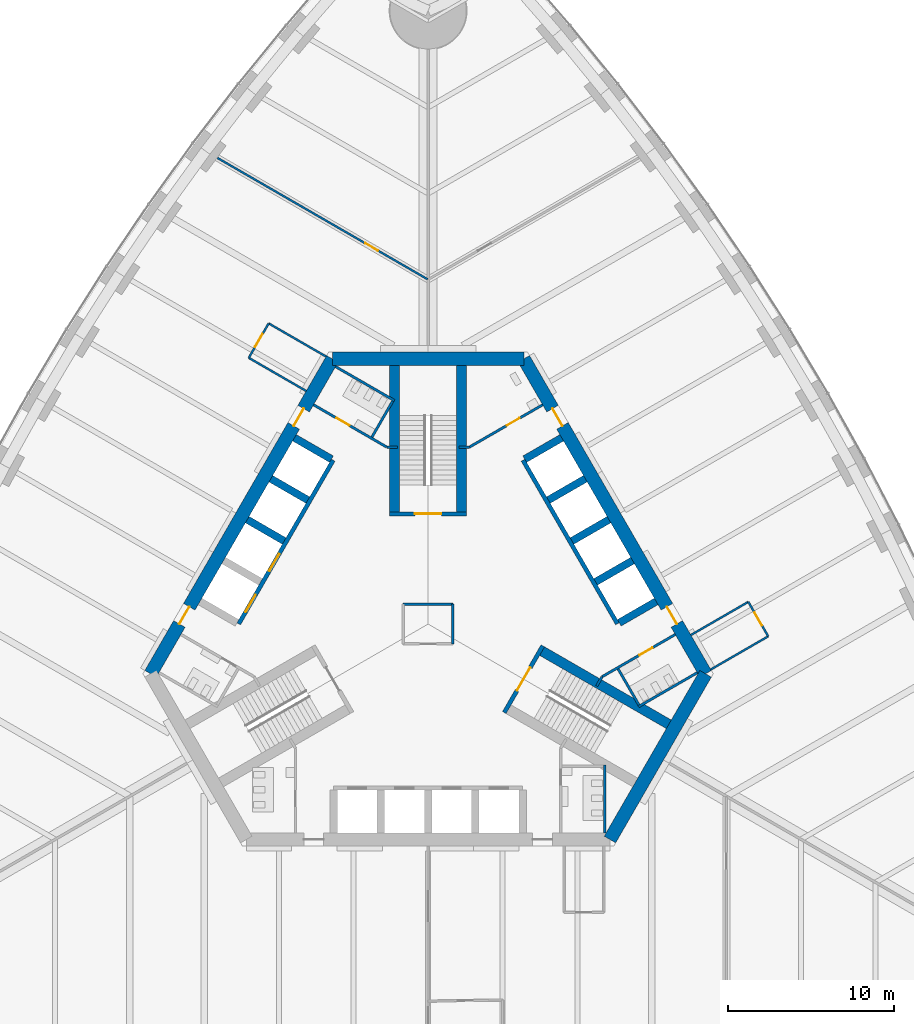
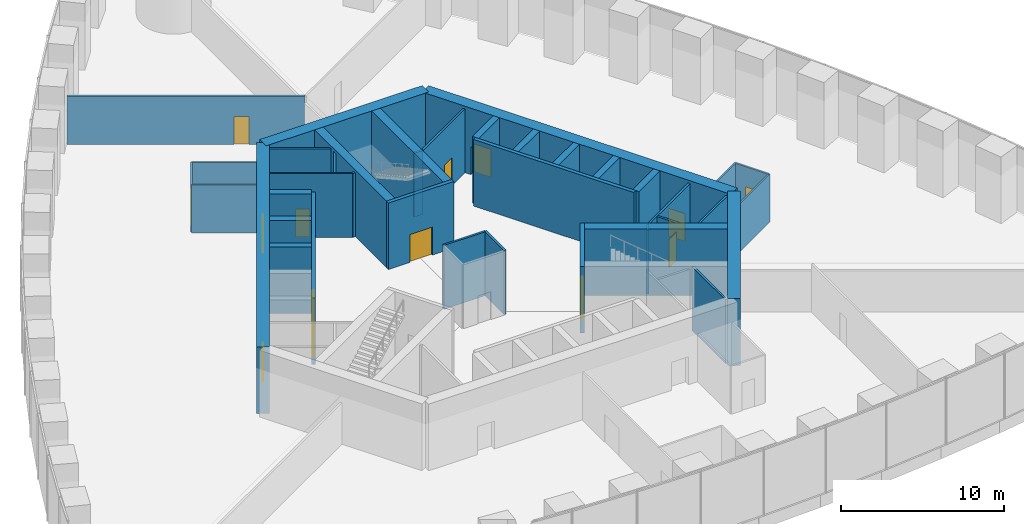
# One storey, part 16 of 21: 39 walls, 14 doors, 14 openings.
"""IFC4 building model written with IfcOpenShell, lengths in metres."""

from ifc_helpers import new_model, si_unit, direction, frame, frame_2d, origin, place, context, subcontext, project, spatial, rectangle, extrude, material, layer, layer_set, type_object, element, fill, save


model = new_model("IFC4")

# Units and contexts
model_context = context("Model", 3, precision=1e-05, world=origin(), true_north=direction((0.0, 1.0)))
body_context = subcontext(model_context, "Body", "Model", "MODEL_VIEW")
ifc_project = project(units=[si_unit("LENGTHUNIT", "METRE"), si_unit("AREAUNIT", "SQUARE_METRE"), si_unit("VOLUMEUNIT", "CUBIC_METRE"), si_unit("PLANEANGLEUNIT", "RADIAN"), si_unit("MASSUNIT", "GRAM", prefix="KILO")], contexts=[model_context])

# Site, building, storey
site_placement = place(None, origin())
site = spatial("IfcSite", under=ifc_project, at=site_placement, CompositionType="ELEMENT")
building_placement = place(site_placement, origin())
building = spatial("IfcBuilding", under=site, at=building_placement, Name="Trefoil Bronze Tower", CompositionType="ELEMENT")
storey_placement = place(building_placement, frame((0.0, 0.0, 6.5)))
storey = spatial("IfcBuildingStorey", under=building, at=storey_placement, Name="L01", CompositionType="ELEMENT", Elevation=6.5)

# Wall
ifc_material_1 = material(Name="Concrete B80", Category="concrete")
ifc_layer_1 = layer(ifc_material_1, 0.800048828125)
ifc_layer_set_1 = layer_set([ifc_layer_1], Name="Core wall 800")
wall_type_1 = type_object("IfcWallType", Name="Core wall 800", PredefinedType="SHEAR", material=ifc_layer_set_1)
wall_1_placement = place(storey_placement, frame((10.9697265625, -13.0, 0.0), z_axis=(0.0, 0.0, 1.0), x_axis=(0.499995765644, 0.866027848477, 0.0)))
element("IfcWall", 1, at=wall_1_placement, inside=storey, type_object=wall_type_1, Name="Core short wall 1 L01", PredefinedType="SHEAR", context=body_context, shape_type="SweptSolid", body=[
    extrude(rectangle(XDim=11.546875, YDim=0.800048828125, at=frame_2d((5.7734375, 0.0))), origin(), (0.0, 0.0, 1.0), 5.0),
])

# Wall, openings, doors
wall_2_placement = place(storey_placement, frame((16.7431640625, -3.0, 0.0), z_axis=(0.0, 0.0, 1.0), x_axis=(-0.500002442456, 0.866023993627, 0.0)))
wall_2 = element("IfcWall", 2, at=wall_2_placement, inside=storey, type_object=wall_type_1, Name="Core long wall 2 L01", PredefinedType="SHEAR", context=body_context, shape_type="SweptSolid", body=[
    extrude(rectangle(XDim=21.939453125, YDim=0.800048828125, at=frame_2d((10.9697265625, 0.0))), origin(), (0.0, 0.0, 1.0), 5.0),
])
opening_1_placement = place(wall_2_placement, frame((17.269775390625, 0.0, 0.0)))
opening_1 = element("IfcOpeningElement", 3, at=opening_1_placement, cuts=wall_2, Name="Opening D2", PredefinedType="OPENING", context=body_context, shape_type="SweptSolid", body=[
    extrude(rectangle(XDim=1.199951171875, YDim=2.10009765625, at=frame_2d((0.60009765625, 1.050048828125))), frame((0.0, 0.409912109375, 0.0), z_axis=(0.0, -1.0, 0.0), x_axis=(1.0, 0.0, 0.0)), (0.0, 0.0, 1.0), 0.820068359375),
])
opening_2_placement = place(wall_2_placement, frame((3.4697265625, 0.0, 0.0)))
opening_2 = element("IfcOpeningElement", 4, at=opening_2_placement, cuts=wall_2, Name="Opening D2", PredefinedType="OPENING", context=body_context, shape_type="SweptSolid", body=[
    extrude(rectangle(XDim=1.199951171875, YDim=2.10009765625, at=frame_2d((0.60009765625, 1.050048828125))), frame((0.0, 0.409912109375, 0.0), z_axis=(0.0, -1.0, 0.0), x_axis=(1.0, 0.0, 0.0)), (0.0, 0.0, 1.0), 0.820068359375),
])
ifc_material_2 = material(Name="Steel door", Category="steel")
door_type_1 = type_object("IfcDoorType", Name="Lobby door 1200", OperationType="SINGLE_SWING_RIGHT", PredefinedType="DOOR", material=ifc_material_2)
door_1_placement = place(opening_1_placement, origin())
door_1 = element("IfcDoor", 5, at=door_1_placement, inside=storey, type_object=door_type_1, Name="Lobby door F2+ L01", OperationType="SINGLE_SWING_RIGHT", OverallHeight=2.10009765625, OverallWidth=1.199951171875, PredefinedType="DOOR", context=body_context, shape_type="SweptSolid", body=[
    extrude(rectangle(XDim=1.199951171875, YDim=2.10009765625, at=frame_2d((0.60009765625, 1.050048828125))), frame((0.0, 0.02490234375, 0.0), z_axis=(0.0, -1.0, 0.0), x_axis=(1.0, 0.0, 0.0)), (0.0, 0.0, 1.0), 0.050048828125),
])
fill(opening_1, door_1)
door_2_placement = place(opening_2_placement, origin())
door_2 = element("IfcDoor", 6, at=door_2_placement, inside=storey, type_object=door_type_1, Name="Lobby door F2- L01", OperationType="SINGLE_SWING_LEFT", OverallHeight=2.10009765625, OverallWidth=1.199951171875, PredefinedType="DOOR", context=body_context, shape_type="SweptSolid", body=[
    extrude(rectangle(XDim=1.199951171875, YDim=2.10009765625, at=frame_2d((0.60009765625, 1.050048828125))), frame((0.0, 0.02490234375, 0.0), z_axis=(0.0, -1.0, 0.0), x_axis=(1.0, 0.0, 0.0)), (0.0, 0.0, 1.0), 0.050048828125),
])
fill(opening_2, door_2)

# Wall
wall_3_placement = place(storey_placement, frame((5.7734375, 16.0, 0.0), z_axis=(0.0, 0.0, 1.0), x_axis=(-1.0, 0.0, 0.0)))
element("IfcWall", 7, at=wall_3_placement, inside=storey, type_object=wall_type_1, Name="Core short wall 2 L01", PredefinedType="SHEAR", context=body_context, shape_type="SweptSolid", body=[
    extrude(rectangle(XDim=11.546875, YDim=0.800048828125, at=frame_2d((5.7734375, 0.0))), origin(), (0.0, 0.0, 1.0), 5.0),
])

# Wall, openings, doors
wall_4_placement = place(storey_placement, frame((-5.7734375, 16.0, 0.0), z_axis=(0.0, 0.0, 1.0), x_axis=(-0.500002442456, -0.866023993627, 0.0)))
wall_4 = element("IfcWall", 8, at=wall_4_placement, inside=storey, type_object=wall_type_1, Name="Core long wall 3 L01", PredefinedType="SHEAR", context=body_context, shape_type="SweptSolid", body=[
    extrude(rectangle(XDim=21.939453125, YDim=0.800048828125, at=frame_2d((10.9697265625, 0.0))), origin(), (0.0, 0.0, 1.0), 5.0),
])
opening_3_placement = place(wall_4_placement, frame((17.269775390625, 0.0, 0.0)))
opening_3 = element("IfcOpeningElement", 9, at=opening_3_placement, cuts=wall_4, Name="Opening D2", PredefinedType="OPENING", context=body_context, shape_type="SweptSolid", body=[
    extrude(rectangle(XDim=1.199951171875, YDim=2.10009765625, at=frame_2d((0.60009765625, 1.050048828125))), frame((0.0, 0.409912109375, 0.0), z_axis=(0.0, -1.0, 0.0), x_axis=(1.0, 0.0, 0.0)), (0.0, 0.0, 1.0), 0.820068359375),
])
opening_4_placement = place(wall_4_placement, frame((3.4697265625, 0.0, 0.0)))
opening_4 = element("IfcOpeningElement", 10, at=opening_4_placement, cuts=wall_4, Name="Opening D2", PredefinedType="OPENING", context=body_context, shape_type="SweptSolid", body=[
    extrude(rectangle(XDim=1.199951171875, YDim=2.10009765625, at=frame_2d((0.60009765625, 1.050048828125))), frame((0.0, 0.409912109375, 0.0), z_axis=(0.0, -1.0, 0.0), x_axis=(1.0, 0.0, 0.0)), (0.0, 0.0, 1.0), 0.820068359375),
])
door_3_placement = place(opening_3_placement, origin())
door_3 = element("IfcDoor", 11, at=door_3_placement, inside=storey, type_object=door_type_1, Name="Lobby door F3+ L01", OperationType="SINGLE_SWING_RIGHT", OverallHeight=2.10009765625, OverallWidth=1.199951171875, PredefinedType="DOOR", context=body_context, shape_type="SweptSolid", body=[
    extrude(rectangle(XDim=1.199951171875, YDim=2.10009765625, at=frame_2d((0.60009765625, 1.050048828125))), frame((0.0, 0.02490234375, 0.0), z_axis=(0.0, -1.0, 0.0), x_axis=(1.0, 0.0, 0.0)), (0.0, 0.0, 1.0), 0.050048828125),
])
fill(opening_3, door_3)
door_4_placement = place(opening_4_placement, origin())
door_4 = element("IfcDoor", 12, at=door_4_placement, inside=storey, type_object=door_type_1, Name="Lobby door F3- L01", OperationType="SINGLE_SWING_LEFT", OverallHeight=2.10009765625, OverallWidth=1.199951171875, PredefinedType="DOOR", context=body_context, shape_type="SweptSolid", body=[
    extrude(rectangle(XDim=1.199951171875, YDim=2.10009765625, at=frame_2d((0.60009765625, 1.050048828125))), frame((0.0, 0.02490234375, 0.0), z_axis=(0.0, -1.0, 0.0), x_axis=(1.0, 0.0, 0.0)), (0.0, 0.0, 1.0), 0.050048828125),
])
fill(opening_4, door_4)

# Wall, opening, door
ifc_material_3 = material(Name="Glazed partition", Category="glass")
ifc_layer_2 = layer(ifc_material_3, 0.1201171875)
ifc_layer_set_2 = layer_set([ifc_layer_2], Name="Glazed partition 120")
wall_type_2 = type_object("IfcWallType", Name="Glazed partition 120", PredefinedType="PARTITIONING", material=ifc_layer_set_2)
wall_5_placement = place(storey_placement, frame((20.518798828125, -0.73974609375, 0.0), z_axis=(0.0, 0.0, 1.0), x_axis=(-0.499957262057, 0.866050077142, 0.0)))
wall_5 = element("IfcWall", 13, at=wall_5_placement, inside=storey, type_object=wall_type_2, Name="Partition F2 L01", PredefinedType="PARTITIONING", context=body_context, shape_type="SweptSolid", body=[
    extrude(rectangle(XDim=2.400146484375, YDim=0.1201171875, at=frame_2d((1.2001953125, 0.0))), origin(), (0.0, 0.0, 1.0), 3.60009765625),
])
opening_5_placement = place(wall_5_placement, frame((0.75, 0.0, 0.0)))
opening_5 = element("IfcOpeningElement", 14, at=opening_5_placement, cuts=wall_5, Name="Opening D8", PredefinedType="OPENING", context=body_context, shape_type="SweptSolid", body=[
    extrude(rectangle(XDim=0.89990234375, YDim=2.10009765625, at=frame_2d((0.449951171875, 1.050048828125))), frame((0.0, 0.070068359375, 0.0), z_axis=(0.0, -1.0, 0.0), x_axis=(1.0, 0.0, 0.0)), (0.0, 0.0, 1.0), 0.14013671875),
])
ifc_material_4 = material(Name="Timber door", Category="wood")
door_type_2 = type_object("IfcDoorType", Name="Office door 900", OperationType="SINGLE_SWING_LEFT", PredefinedType="DOOR", material=ifc_material_4)
door_5_placement = place(opening_5_placement, origin())
door_5 = element("IfcDoor", 15, at=door_5_placement, inside=storey, type_object=door_type_2, Name="Store door F2 L01", OperationType="SINGLE_SWING_RIGHT", OverallHeight=2.10009765625, OverallWidth=0.89990234375, PredefinedType="DOOR", context=body_context, shape_type="SweptSolid", body=[
    extrude(rectangle(XDim=0.89990234375, YDim=2.10009765625, at=frame_2d((0.449951171875, 1.050048828125))), frame((0.0, 0.02490234375, 0.0), z_axis=(0.0, -1.0, 0.0), x_axis=(1.0, 0.0, 0.0)), (0.0, 0.0, 1.0), 0.050048828125),
])
fill(opening_5, door_5)

# Walls
for number, where, z_axis, x_axis, name in (
    (16, (17.0546875, -2.73974609375, 0.0), (0.0, 0.0, 1.0), (0.866026010844, 0.49999894854, 0.0), "Partition F2 L01"),
    (17, (15.854736328125, -0.6611328125, 0.0), (0.0, 0.0, 1.0), (0.866026010844, 0.49999894854, 0.0), "Partition F2 L01"),
):
    element("IfcWall", number, at=place(storey_placement, frame(where, z_axis=z_axis, x_axis=x_axis)), inside=storey, type_object=wall_type_2, Name=name, PredefinedType="PARTITIONING", context=body_context, shape_type="SweptSolid", body=[
        extrude(rectangle(XDim=4.0, YDim=0.1201171875, at=frame_2d((2.0, 0.0))), origin(), (0.0, 0.0, 1.0), 3.60009765625),
    ])

# Wall, opening, door
wall_6_placement = place(storey_placement, frame((-9.618896484375, 18.1396484375, 0.0), z_axis=(0.0, 0.0, 1.0), x_axis=(-0.500001309137, -0.866024647952, 0.0)))
wall_6 = element("IfcWall", 18, at=wall_6_placement, inside=storey, type_object=wall_type_2, Name="Partition F3 L01", PredefinedType="PARTITIONING", context=body_context, shape_type="SweptSolid", body=[
    extrude(rectangle(XDim=2.39990234375, YDim=0.1201171875, at=frame_2d((1.199951171875, 0.0))), origin(), (0.0, 0.0, 1.0), 3.60009765625),
])
opening_6_placement = place(wall_6_placement, frame((0.75, 0.0, 0.0)))
opening_6 = element("IfcOpeningElement", 19, at=opening_6_placement, cuts=wall_6, Name="Opening D8", PredefinedType="OPENING", context=body_context, shape_type="SweptSolid", body=[
    extrude(rectangle(XDim=0.89990234375, YDim=2.10009765625, at=frame_2d((0.449951171875, 1.050048828125))), frame((0.0, 0.070068359375, 0.0), z_axis=(0.0, -1.0, 0.0), x_axis=(1.0, 0.0, 0.0)), (0.0, 0.0, 1.0), 0.14013671875),
])
door_6_placement = place(opening_6_placement, origin())
door_6 = element("IfcDoor", 20, at=door_6_placement, inside=storey, type_object=door_type_2, Name="Print and store room door F3 L01", OperationType="SINGLE_SWING_RIGHT", OverallHeight=2.10009765625, OverallWidth=0.89990234375, PredefinedType="DOOR", context=body_context, shape_type="SweptSolid", body=[
    extrude(rectangle(XDim=0.89990234375, YDim=2.10009765625, at=frame_2d((0.449951171875, 1.050048828125))), frame((0.0, 0.02490234375, 0.0), z_axis=(0.0, -1.0, 0.0), x_axis=(1.0, 0.0, 0.0)), (0.0, 0.0, 1.0), 0.050048828125),
])
fill(opening_6, door_6)

# Walls
for number, where, z_axis, x_axis, name in (
    (21, (-6.15478515625, 16.1396484375, 0.0), (0.0, 0.0, 1.0), (-0.866026010844, 0.49999894854, 0.0), "Partition F3 L01"),
    (22, (-7.354736328125, 14.061279296875, 0.0), (0.0, 0.0, 1.0), (-0.866026010844, 0.49999894854, 0.0), "Partition F3 L01"),
):
    element("IfcWall", number, at=place(storey_placement, frame(where, z_axis=z_axis, x_axis=x_axis)), inside=storey, type_object=wall_type_2, Name=name, PredefinedType="PARTITIONING", context=body_context, shape_type="SweptSolid", body=[
        extrude(rectangle(XDim=4.0, YDim=0.1201171875, at=frame_2d((2.0, 0.0))), origin(), (0.0, 0.0, 1.0), 3.60009765625),
    ])

# Wall, opening, door
wall_7_placement = place(storey_placement, frame((-0.025146484375, 20.799072265625, 0.0), z_axis=(0.0, 0.0, 1.0), x_axis=(-0.866024773507, 0.50000109167, 0.0)))
wall_7 = element("IfcWall", 23, at=wall_7_placement, inside=storey, type_object=wall_type_2, Name="Partition F3 L01", PredefinedType="PARTITIONING", context=body_context, shape_type="SweptSolid", body=[
    extrude(rectangle(XDim=14.63818359375, YDim=0.1201171875, at=frame_2d((7.319091796875, 0.0))), origin(), (0.0, 0.0, 1.0), 3.60009765625),
])
opening_7_placement = place(wall_7_placement, frame((3.449951171875, 0.0, 0.0)))
opening_7 = element("IfcOpeningElement", 24, at=opening_7_placement, cuts=wall_7, Name="Opening D8", PredefinedType="OPENING", context=body_context, shape_type="SweptSolid", body=[
    extrude(rectangle(XDim=0.89990234375, YDim=2.10009765625, at=frame_2d((0.449951171875, 1.050048828125))), frame((0.0, 0.070068359375, 0.0), z_axis=(0.0, -1.0, 0.0), x_axis=(1.0, 0.0, 0.0)), (0.0, 0.0, 1.0), 0.14013671875),
])
door_7_placement = place(opening_7_placement, frame((0.89990234375, 0.0, 0.0), z_axis=(0.0, 0.0, 1.0), x_axis=(-1.0, 0.0, 0.0)))
door_7 = element("IfcDoor", 25, at=door_7_placement, inside=storey, type_object=door_type_2, Name="Plant room door F3 L01", OperationType="SINGLE_SWING_RIGHT", OverallHeight=2.10009765625, OverallWidth=0.89990234375, PredefinedType="DOOR", context=body_context, shape_type="SweptSolid", body=[
    extrude(rectangle(XDim=0.89990234375, YDim=2.10009765625, at=frame_2d((0.449951171875, 1.050048828125))), frame((0.0, 0.02490234375, 0.0), z_axis=(0.0, -1.0, 0.0), x_axis=(1.0, 0.0, 0.0)), (0.0, 0.0, 1.0), 0.050048828125),
])
fill(opening_7, door_7)

# Walls
ifc_material_5 = material(Name="Concrete B80", Category="concrete")
ifc_layer_3 = layer(ifc_material_5, 0.449951171875)
ifc_layer_set_3 = layer_set([ifc_layer_3], Name="Outrigger shaft wall 450")
wall_type_3 = type_object("IfcWallType", Name="Outrigger shaft wall 450", PredefinedType="SHEAR", material=ifc_layer_set_3)
for number, where, z_axis, x_axis, name in (
    (26, (11.531982421875, 0.076171875, 0.0), (0.0, 0.0, 1.0), (0.866005588531, 0.500034319456, 0.0), "Lift shaft side wall B0 L01"),
    (27, (10.10693359375, 2.54443359375, 0.0), (0.0, 0.0, 1.0), (0.866046643894, 0.499963209246, 0.0), "Lift shaft side wall B1 L01"),
    (28, (8.681884765625, 5.012451171875, 0.0), (0.0, 0.0, 1.0), (0.866005588531, 0.500034319456, 0.0), "Lift shaft side wall B2 L01"),
    (29, (7.2568359375, 7.480712890625, 0.0), (0.0, 0.0, 1.0), (0.866046643894, 0.499963209246, 0.0), "Lift shaft side wall B3 L01"),
):
    element("IfcWall", number, at=place(storey_placement, frame(where, z_axis=z_axis, x_axis=x_axis)), inside=storey, type_object=wall_type_3, Name=name, PredefinedType="SHEAR", context=body_context, shape_type="SweptSolid", body=[
        extrude(rectangle(XDim=2.574951171875, YDim=0.449951171875, at=frame_2d((1.28759765625, 0.0))), origin(), (0.0, 0.0, 1.0), 5.0),
    ])
for number, where, z_axis, x_axis, name in (
    (30, (5.831787109375, 9.94873046875, 0.0), (0.0, 0.0, 1.0), (0.866029291668, 0.499993265928, 0.0), "Lift shaft side wall B4 L01"),
    (31, (-5.831787109375, 9.94873046875, 0.0), (0.0, 0.0, 1.0), (-0.866029291668, 0.499993265928, 0.0), "Lift shaft side wall C0 L01"),
):
    element("IfcWall", number, at=place(storey_placement, frame(where, z_axis=z_axis, x_axis=x_axis)), inside=storey, type_object=wall_type_3, Name=name, PredefinedType="SHEAR", context=body_context, shape_type="SweptSolid", body=[
        extrude(rectangle(XDim=2.5751953125, YDim=0.449951171875, at=frame_2d((1.28759765625, 0.0))), origin(), (0.0, 0.0, 1.0), 5.0),
    ])
for number, where, z_axis, x_axis, name in (
    (32, (-7.2568359375, 7.480712890625, 0.0), (0.0, 0.0, 1.0), (-0.866046643894, 0.499963209246, 0.0), "Lift shaft side wall C1 L01"),
    (33, (-8.681884765625, 5.012451171875, 0.0), (0.0, 0.0, 1.0), (-0.866005588531, 0.500034319456, 0.0), "Lift shaft side wall C2 L01"),
):
    element("IfcWall", number, at=place(storey_placement, frame(where, z_axis=z_axis, x_axis=x_axis)), inside=storey, type_object=wall_type_3, Name=name, PredefinedType="SHEAR", context=body_context, shape_type="SweptSolid", body=[
        extrude(rectangle(XDim=2.574951171875, YDim=0.449951171875, at=frame_2d((1.28759765625, 0.0))), origin(), (0.0, 0.0, 1.0), 5.0),
    ])

# Wall, opening, door
ifc_material_6 = material(Name="Gypsum board on steel studs", Category="steel")
ifc_layer_4 = layer(ifc_material_6, 0.14990234375)
ifc_layer_set_4 = layer_set([ifc_layer_4], Name="Partition 150")
wall_type_4 = type_object("IfcWallType", Name="Partition 150", PredefinedType="PARTITIONING", material=ifc_layer_set_4)
wall_8_placement = place(storey_placement, frame((2.4951171875, 10.67822265625, 0.0), z_axis=(0.0, 0.0, 1.0), x_axis=(0.86602216432, 0.500005610874, 0.0)))
wall_8 = element("IfcWall", 34, at=wall_8_placement, inside=storey, type_object=wall_type_4, Name="Passage wall F2+ L01", PredefinedType="PARTITIONING", context=body_context, shape_type="SweptSolid", body=[
    extrude(rectangle(XDim=5.10009765625, YDim=0.14990234375, at=frame_2d((2.550048828125, 0.0))), origin(), (0.0, 0.0, 1.0), 4.800048828125),
])
opening_8_placement = place(wall_8_placement, frame((2.60009765625, 0.0, 0.0)))
opening_8 = element("IfcOpeningElement", 35, at=opening_8_placement, cuts=wall_8, Name="Opening D3", PredefinedType="OPENING", context=body_context, shape_type="SweptSolid", body=[
    extrude(rectangle(XDim=0.89990234375, YDim=2.10009765625, at=frame_2d((0.449951171875, 1.050048828125))), frame((0.0, 0.0849609375, 0.0), z_axis=(0.0, -1.0, 0.0), x_axis=(1.0, 0.0, 0.0)), (0.0, 0.0, 1.0), 0.169921875),
])
ifc_material_7 = material(Name="Timber door", Category="wood")
door_type_3 = type_object("IfcDoorType", Name="WC door 900", OperationType="SINGLE_SWING_LEFT", PredefinedType="DOOR", material=ifc_material_7)
door_8_placement = place(opening_8_placement, origin())
door_8 = element("IfcDoor", 36, at=door_8_placement, inside=storey, type_object=door_type_3, Name="Accessible WC door L01", OperationType="SINGLE_SWING_RIGHT", OverallHeight=2.10009765625, OverallWidth=0.89990234375, PredefinedType="DOOR", context=body_context, shape_type="SweptSolid", body=[
    extrude(rectangle(XDim=0.89990234375, YDim=2.10009765625, at=frame_2d((0.449951171875, 1.050048828125))), frame((0.0, 0.02490234375, 0.0), z_axis=(0.0, -1.0, 0.0), x_axis=(1.0, 0.0, 0.0)), (0.0, 0.0, 1.0), 0.050048828125),
])
fill(opening_8, door_8)

wall_9_placement = place(storey_placement, frame((10.4951171875, -3.17822265625, 0.0), z_axis=(0.0, 0.0, 1.0), x_axis=(0.86602216432, 0.500005610874, 0.0)))
wall_9 = element("IfcWall", 37, at=wall_9_placement, inside=storey, type_object=wall_type_4, Name="Passage wall F2- L01", PredefinedType="PARTITIONING", context=body_context, shape_type="SweptSolid", body=[
    extrude(rectangle(XDim=5.10009765625, YDim=0.14990234375, at=frame_2d((2.550048828125, 0.0))), origin(), (0.0, 0.0, 1.0), 4.800048828125),
])
opening_9_placement = place(wall_9_placement, frame((2.60009765625, 0.0, 0.0)))
opening_9 = element("IfcOpeningElement", 38, at=opening_9_placement, cuts=wall_9, Name="Opening D3", PredefinedType="OPENING", context=body_context, shape_type="SweptSolid", body=[
    extrude(rectangle(XDim=0.89990234375, YDim=2.10009765625, at=frame_2d((0.449951171875, 1.050048828125))), frame((0.0, 0.0849609375, 0.0), z_axis=(0.0, -1.0, 0.0), x_axis=(1.0, 0.0, 0.0)), (0.0, 0.0, 1.0), 0.169921875),
])
door_9_placement = place(opening_9_placement, frame((0.89990234375, 0.0, 0.0), z_axis=(0.0, 0.0, 1.0), x_axis=(-1.0, 0.0, 0.0)))
door_9 = element("IfcDoor", 39, at=door_9_placement, inside=storey, type_object=door_type_3, Name="WC (women) door L01", OperationType="SINGLE_SWING_RIGHT", OverallHeight=2.10009765625, OverallWidth=0.89990234375, PredefinedType="DOOR", context=body_context, shape_type="SweptSolid", body=[
    extrude(rectangle(XDim=0.89990234375, YDim=2.10009765625, at=frame_2d((0.449951171875, 1.050048828125))), frame((0.0, 0.02490234375, 0.0), z_axis=(0.0, -1.0, 0.0), x_axis=(1.0, 0.0, 0.0)), (0.0, 0.0, 1.0), 0.050048828125),
])
fill(opening_9, door_9)

wall_10_placement = place(storey_placement, frame((-2.4951171875, 10.67822265625, 0.0), z_axis=(0.0, 0.0, 1.0), x_axis=(-0.86602216432, 0.500005610874, 0.0)))
wall_10 = element("IfcWall", 40, at=wall_10_placement, inside=storey, type_object=wall_type_4, Name="Passage wall F3- L01", PredefinedType="PARTITIONING", context=body_context, shape_type="SweptSolid", body=[
    extrude(rectangle(XDim=5.10009765625, YDim=0.14990234375, at=frame_2d((2.550048828125, 0.0))), origin(), (0.0, 0.0, 1.0), 4.800048828125),
])
opening_10_placement = place(wall_10_placement, frame((2.60009765625, 0.0, 0.0)))
opening_10 = element("IfcOpeningElement", 41, at=opening_10_placement, cuts=wall_10, Name="Opening D3", PredefinedType="OPENING", context=body_context, shape_type="SweptSolid", body=[
    extrude(rectangle(XDim=0.89990234375, YDim=2.10009765625, at=frame_2d((0.449951171875, 1.050048828125))), frame((0.0, 0.0849609375, 0.0), z_axis=(0.0, -1.0, 0.0), x_axis=(1.0, 0.0, 0.0)), (0.0, 0.0, 1.0), 0.169921875),
])
door_10_placement = place(opening_10_placement, frame((0.89990234375, 0.0, 0.0), z_axis=(0.0, 0.0, 1.0), x_axis=(-1.0, 0.0, 0.0)))
door_10 = element("IfcDoor", 42, at=door_10_placement, inside=storey, type_object=door_type_3, Name="WC (women) door L01", OperationType="SINGLE_SWING_RIGHT", OverallHeight=2.10009765625, OverallWidth=0.89990234375, PredefinedType="DOOR", context=body_context, shape_type="SweptSolid", body=[
    extrude(rectangle(XDim=0.89990234375, YDim=2.10009765625, at=frame_2d((0.449951171875, 1.050048828125))), frame((0.0, 0.02490234375, 0.0), z_axis=(0.0, -1.0, 0.0), x_axis=(1.0, 0.0, 0.0)), (0.0, 0.0, 1.0), 0.050048828125),
])
fill(opening_10, door_10)

# Walls
wall_11_placement = place(storey_placement, frame((10.4951171875, -3.17822265625, 0.0), z_axis=(0.0, 0.0, 1.0), x_axis=(-0.499842556608, -0.866116284689, 0.0)))
element("IfcWall", 43, at=wall_11_placement, inside=storey, type_object=wall_type_4, Name="WC wall ST1+1 L01", PredefinedType="PARTITIONING", context=body_context, shape_type="SweptSolid", body=[
    extrude(rectangle(XDim=0.645263671875, YDim=0.14990234375, at=frame_2d((0.32275390625, 0.0))), origin(), (0.0, 0.0, 1.0), 4.800048828125),
])
for number, where, z_axis, x_axis, name in (
    (44, (2.4951171875, 10.67822265625, 0.0), (0.0, 0.0, 1.0), (-1.0, 0.0, 0.0), "WC wall ST2-1 L01"),
    (45, (-2.4951171875, 10.67822265625, 0.0), (0.0, 0.0, 1.0), (1.0, 0.0, 0.0), "WC wall ST2+1 L01"),
):
    element("IfcWall", number, at=place(storey_placement, frame(where, z_axis=z_axis, x_axis=x_axis)), inside=storey, type_object=wall_type_4, Name=name, PredefinedType="PARTITIONING", context=body_context, shape_type="SweptSolid", body=[
        extrude(rectangle(XDim=0.64501953125, YDim=0.14990234375, at=frame_2d((0.322509765625, 0.0))), origin(), (0.0, 0.0, 1.0), 4.800048828125),
    ])
for number, where, z_axis, x_axis, name in (
    (46, (10.659912109375, -8.5, 0.0), (0.0, 0.0, 1.0), (0.0, -1.0, 0.0), "WC partition WC (men) L01"),
    (47, (12.691162109375, -4.98193359375, 0.0), (0.0, 0.0, 1.0), (0.8660249478, 0.500000789788, 0.0), "WC partition WC (women) L01"),
):
    element("IfcWall", number, at=place(storey_placement, frame(where, z_axis=z_axis, x_axis=x_axis)), inside=storey, type_object=wall_type_4, Name=name, PredefinedType="PARTITIONING", context=body_context, shape_type="SweptSolid", body=[
        extrude(rectangle(XDim=4.10009765625, YDim=0.14990234375, at=frame_2d((2.050048828125, 0.0))), origin(), (0.0, 0.0, 1.0), 4.800048828125),
    ])
wall_12_placement = place(storey_placement, frame((11.463623046875, -2.70556640625, 0.0), z_axis=(0.0, 0.0, 1.0), x_axis=(0.50001992892, -0.866013897511, 0.0)))
element("IfcWall", 48, at=wall_12_placement, inside=storey, type_object=wall_type_4, Name="WC partition WC (women) L01", PredefinedType="PARTITIONING", context=body_context, shape_type="SweptSolid", body=[
    extrude(rectangle(XDim=2.51025390625, YDim=0.14990234375, at=frame_2d((1.255126953125, 0.0))), origin(), (0.0, 0.0, 1.0), 4.800048828125),
])
wall_13_placement = place(storey_placement, frame((-2.03125, 13.48193359375, 0.0), z_axis=(0.0, 0.0, 1.0), x_axis=(-0.866050731258, 0.499956128963, 0.0)))
element("IfcWall", 49, at=wall_13_placement, inside=storey, type_object=wall_type_4, Name="WC partition WC (women) L01", PredefinedType="PARTITIONING", context=body_context, shape_type="SweptSolid", body=[
    extrude(rectangle(XDim=4.099853515625, YDim=0.14990234375, at=frame_2d((2.0498046875, 0.0))), origin(), (0.0, 0.0, 1.0), 4.800048828125),
])
wall_14_placement = place(storey_placement, frame((-3.388671875, 11.28076171875, 0.0), z_axis=(0.0, 0.0, 1.0), x_axis=(0.499989096993, 0.866031698547, 0.0)))
element("IfcWall", 50, at=wall_14_placement, inside=storey, type_object=wall_type_4, Name="WC partition WC (women) L01", PredefinedType="PARTITIONING", context=body_context, shape_type="SweptSolid", body=[
    extrude(rectangle(XDim=2.509765625, YDim=0.14990234375, at=frame_2d((1.2548828125, 0.0))), origin(), (0.0, 0.0, 1.0), 4.800048828125),
])
ifc_material_8 = material(Name="Gypsum board on steel studs", Category="steel")
ifc_layer_5 = layer(ifc_material_8, 0.14990234375)
ifc_layer_set_5 = layer_set([ifc_layer_5], Name="Riser wall 150")
wall_type_5 = type_object("IfcWallType", Name="Riser wall 150", PredefinedType="PARTITIONING", material=ifc_layer_set_5)
wall_15_placement = place(storey_placement, frame((1.5, -1.199951171875, 0.0), z_axis=(0.0, 0.0, 1.0), x_axis=(0.0, 1.0, 0.0)))
element("IfcWall", 51, at=wall_15_placement, inside=storey, type_object=wall_type_5, Name="Riser wall L01", PredefinedType="PARTITIONING", context=body_context, shape_type="SweptSolid", body=[
    extrude(rectangle(XDim=2.39990234375, YDim=0.14990234375, at=frame_2d((1.199951171875, 0.0))), origin(), (0.0, 0.0, 1.0), 4.800048828125),
])
wall_16_placement = place(storey_placement, frame((1.5, 1.199951171875, 0.0), z_axis=(0.0, 0.0, 1.0), x_axis=(-1.0, 0.0, 0.0)))
element("IfcWall", 52, at=wall_16_placement, inside=storey, type_object=wall_type_5, Name="Riser wall L01", PredefinedType="PARTITIONING", context=body_context, shape_type="SweptSolid", body=[
    extrude(rectangle(XDim=3.0, YDim=0.14990234375, at=frame_2d((1.5, 0.0))), origin(), (0.0, 0.0, 1.0), 4.800048828125),
])
ifc_material_9 = material(Name="Concrete B80", Category="concrete")
ifc_layer_6 = layer(ifc_material_9, 0.25)
ifc_layer_set_6 = layer_set([ifc_layer_6], Name="Shaft wall 250")
wall_type_6 = type_object("IfcWallType", Name="Shaft wall 250", PredefinedType="SHEAR", material=ifc_layer_set_6)
wall_17_placement = place(storey_placement, frame((11.423583984375, 0.013671875, 0.0), z_axis=(0.0, 0.0, 1.0), x_axis=(-0.500001763848, 0.866024385424, 0.0)))
element("IfcWall", 53, at=wall_17_placement, inside=storey, type_object=wall_type_6, Name="Lift shaft front wall B L01", PredefinedType="SHEAR", context=body_context, shape_type="SweptSolid", body=[
    extrude(rectangle(XDim=11.39990234375, YDim=0.25, at=frame_2d((5.699951171875, 0.0))), origin(), (0.0, 0.0, 1.0), 5.0),
])

# Wall, openings, doors
wall_18_placement = place(storey_placement, frame((-5.7236328125, 9.88623046875, 0.0), z_axis=(0.0, 0.0, 1.0), x_axis=(-0.500001763848, -0.866024385424, 0.0)))
wall_18 = element("IfcWall", 54, at=wall_18_placement, inside=storey, type_object=wall_type_6, Name="Lift shaft front wall C L01", PredefinedType="SHEAR", context=body_context, shape_type="SweptSolid", body=[
    extrude(rectangle(XDim=11.39990234375, YDim=0.25, at=frame_2d((5.699951171875, 0.0))), origin(), (0.0, 0.0, 1.0), 5.0),
])
opening_11_placement = place(wall_18_placement, frame((6.52490234375, 0.0, 0.0)))
opening_11 = element("IfcOpeningElement", 55, at=opening_11_placement, cuts=wall_18, Name="Opening LD-FL1", PredefinedType="OPENING", context=body_context, shape_type="SweptSolid", body=[
    extrude(rectangle(XDim=1.199951171875, YDim=2.199951171875, at=frame_2d((0.60009765625, 1.10009765625))), frame((0.0, 0.135009765625, 0.0), z_axis=(0.0, -1.0, 0.0), x_axis=(1.0, 0.0, 0.0)), (0.0, 0.0, 1.0), 0.27001953125),
])
opening_12_placement = place(wall_18_placement, frame((9.375, 0.0, 0.0)))
opening_12 = element("IfcOpeningElement", 56, at=opening_12_placement, cuts=wall_18, Name="Opening LD-FL2", PredefinedType="OPENING", context=body_context, shape_type="SweptSolid", body=[
    extrude(rectangle(XDim=1.199951171875, YDim=2.199951171875, at=frame_2d((0.60009765625, 1.10009765625))), frame((0.0, 0.135009765625, 0.0), z_axis=(0.0, -1.0, 0.0), x_axis=(1.0, 0.0, 0.0)), (0.0, 0.0, 1.0), 0.27001953125),
])
ifc_material_10 = material(Name="Steel door", Category="steel")
door_type_4 = type_object("IfcDoorType", Name="Lift landing door 1200", OperationType="DOUBLE_DOOR_SLIDING", PredefinedType="DOOR", material=ifc_material_10)
door_11_placement = place(opening_11_placement, origin())
door_11 = element("IfcDoor", 57, at=door_11_placement, inside=storey, type_object=door_type_4, Name="Lift FL1 landing door L01", OperationType="DOUBLE_DOOR_SLIDING", OverallHeight=2.199951171875, OverallWidth=1.199951171875, PredefinedType="DOOR", context=body_context, shape_type="SweptSolid", body=[
    extrude(rectangle(XDim=1.199951171875, YDim=2.199951171875, at=frame_2d((0.60009765625, 1.10009765625))), frame((0.0, 0.02490234375, 0.0), z_axis=(0.0, -1.0, 0.0), x_axis=(1.0, 0.0, 0.0)), (0.0, 0.0, 1.0), 0.050048828125),
])
fill(opening_11, door_11)
door_12_placement = place(opening_12_placement, origin())
door_12 = element("IfcDoor", 58, at=door_12_placement, inside=storey, type_object=door_type_4, Name="Lift FL2 landing door L01", OperationType="DOUBLE_DOOR_SLIDING", OverallHeight=2.199951171875, OverallWidth=1.199951171875, PredefinedType="DOOR", context=body_context, shape_type="SweptSolid", body=[
    extrude(rectangle(XDim=1.199951171875, YDim=2.199951171875, at=frame_2d((0.60009765625, 1.10009765625))), frame((0.0, 0.02490234375, 0.0), z_axis=(0.0, -1.0, 0.0), x_axis=(1.0, 0.0, 0.0)), (0.0, 0.0, 1.0), 0.050048828125),
])
fill(opening_12, door_12)

# Wall, opening, door
wall_19_placement = place(storey_placement, frame((4.5966796875, -5.338623046875, 0.0), z_axis=(0.0, 0.0, 1.0), x_axis=(0.499984536904, 0.866034331223, 0.0)))
wall_19 = element("IfcWall", 59, at=wall_19_placement, inside=storey, type_object=wall_type_6, Name="Stair end wall ST1 L01", PredefinedType="SHEAR", context=body_context, shape_type="SweptSolid", body=[
    extrude(rectangle(XDim=4.650146484375, YDim=0.25, at=frame_2d((2.3251953125, 0.0))), origin(), (0.0, 0.0, 1.0), 5.0),
])
opening_13_placement = place(wall_19_placement, frame((1.52490234375, 0.0, 0.0)))
opening_13 = element("IfcOpeningElement", 60, at=opening_13_placement, cuts=wall_19, Name="Opening D1", PredefinedType="OPENING", context=body_context, shape_type="SweptSolid", body=[
    extrude(rectangle(XDim=1.60009765625, YDim=2.10009765625, at=frame_2d((0.800048828125, 1.050048828125))), frame((0.0, 0.135009765625, 0.0), z_axis=(0.0, -1.0, 0.0), x_axis=(1.0, 0.0, 0.0)), (0.0, 0.0, 1.0), 0.27001953125),
])
ifc_material_11 = material(Name="Steel door", Category="steel")
door_type_5 = type_object("IfcDoorType", Name="Stair door 1600", OperationType="DOUBLE_DOOR_SINGLE_SWING", PredefinedType="DOOR", material=ifc_material_11)
door_13_placement = place(opening_13_placement, frame((1.60009765625, 0.0, 0.0), z_axis=(0.0, 0.0, 1.0), x_axis=(-1.0, 0.0, 0.0)))
door_13 = element("IfcDoor", 61, at=door_13_placement, inside=storey, type_object=door_type_5, Name="Stair door ST1 L01", OperationType="DOUBLE_DOOR_SINGLE_SWING", OverallHeight=2.10009765625, OverallWidth=1.60009765625, PredefinedType="DOOR", context=body_context, shape_type="SweptSolid", body=[
    extrude(rectangle(XDim=1.60009765625, YDim=2.10009765625, at=frame_2d((0.800048828125, 1.050048828125))), frame((0.0, 0.02490234375, 0.0), z_axis=(0.0, -1.0, 0.0), x_axis=(1.0, 0.0, 0.0)), (0.0, 0.0, 1.0), 0.050048828125),
])
fill(opening_13, door_13)

wall_20_placement = place(storey_placement, frame((2.324951171875, 6.64990234375, 0.0), z_axis=(0.0, 0.0, 1.0), x_axis=(-1.0, 0.0, 0.0)))
wall_20 = element("IfcWall", 62, at=wall_20_placement, inside=storey, type_object=wall_type_6, Name="Stair end wall ST2 L01", PredefinedType="SHEAR", context=body_context, shape_type="SweptSolid", body=[
    extrude(rectangle(XDim=4.64990234375, YDim=0.25, at=frame_2d((2.324951171875, 0.0))), origin(), (0.0, 0.0, 1.0), 5.0),
])
opening_14_placement = place(wall_20_placement, frame((1.52490234375, 0.0, 0.0)))
opening_14 = element("IfcOpeningElement", 63, at=opening_14_placement, cuts=wall_20, Name="Opening D1", PredefinedType="OPENING", context=body_context, shape_type="SweptSolid", body=[
    extrude(rectangle(XDim=1.60009765625, YDim=2.10009765625, at=frame_2d((0.800048828125, 1.050048828125))), frame((0.0, 0.135009765625, 0.0), z_axis=(0.0, -1.0, 0.0), x_axis=(1.0, 0.0, 0.0)), (0.0, 0.0, 1.0), 0.27001953125),
])
door_14_placement = place(opening_14_placement, frame((1.60009765625, 0.0, 0.0), z_axis=(0.0, 0.0, 1.0), x_axis=(-1.0, 0.0, 0.0)))
door_14 = element("IfcDoor", 64, at=door_14_placement, inside=storey, type_object=door_type_5, Name="Stair door ST2 L01", OperationType="DOUBLE_DOOR_SINGLE_SWING", OverallHeight=2.10009765625, OverallWidth=1.60009765625, PredefinedType="DOOR", context=body_context, shape_type="SweptSolid", body=[
    extrude(rectangle(XDim=1.60009765625, YDim=2.10009765625, at=frame_2d((0.800048828125, 1.050048828125))), frame((0.0, 0.02490234375, 0.0), z_axis=(0.0, -1.0, 0.0), x_axis=(1.0, 0.0, 0.0)), (0.0, 0.0, 1.0), 0.050048828125),
])
fill(opening_14, door_14)

# Walls
ifc_material_12 = material(Name="Concrete B80", Category="concrete")
ifc_layer_7 = layer(ifc_material_12, 0.60009765625)
ifc_layer_set_7 = layer_set([ifc_layer_7], Name="Stair wall 600")
wall_type_7 = type_object("IfcWallType", Name="Stair wall 600", PredefinedType="SHEAR", material=ifc_layer_set_7)
wall_21_placement = place(storey_placement, frame((6.663330078125, -1.5087890625, 0.0), z_axis=(0.0, 0.0, 1.0), x_axis=(0.866019375473, -0.500010441196, 0.0)))
element("IfcWall", 65, at=wall_21_placement, inside=storey, type_object=wall_type_7, Name="Stair wall ST1 L01", PredefinedType="SHEAR", context=body_context, shape_type="SweptSolid", body=[
    extrude(rectangle(XDim=9.074951171875, YDim=0.60009765625, at=frame_2d((4.53759765625, 0.0))), origin(), (0.0, 0.0, 1.0), 5.0),
])
for number, where, z_axis, x_axis, name in (
    (66, (2.02490234375, 6.52490234375, 0.0), (0.0, 0.0, 1.0), (0.0, 1.0, 0.0), "Stair wall ST2 L01"),
    (67, (-2.02490234375, 6.52490234375, 0.0), (0.0, 0.0, 1.0), (0.0, 1.0, 0.0), "Stair wall ST2 L01"),
):
    element("IfcWall", number, at=place(storey_placement, frame(where, z_axis=z_axis, x_axis=x_axis)), inside=storey, type_object=wall_type_7, Name=name, PredefinedType="SHEAR", context=body_context, shape_type="SweptSolid", body=[
        extrude(rectangle(XDim=9.0751953125, YDim=0.60009765625, at=frame_2d((4.53759765625, 0.0))), origin(), (0.0, 0.0, 1.0), 5.0),
    ])

save(model, "model.ifc")
